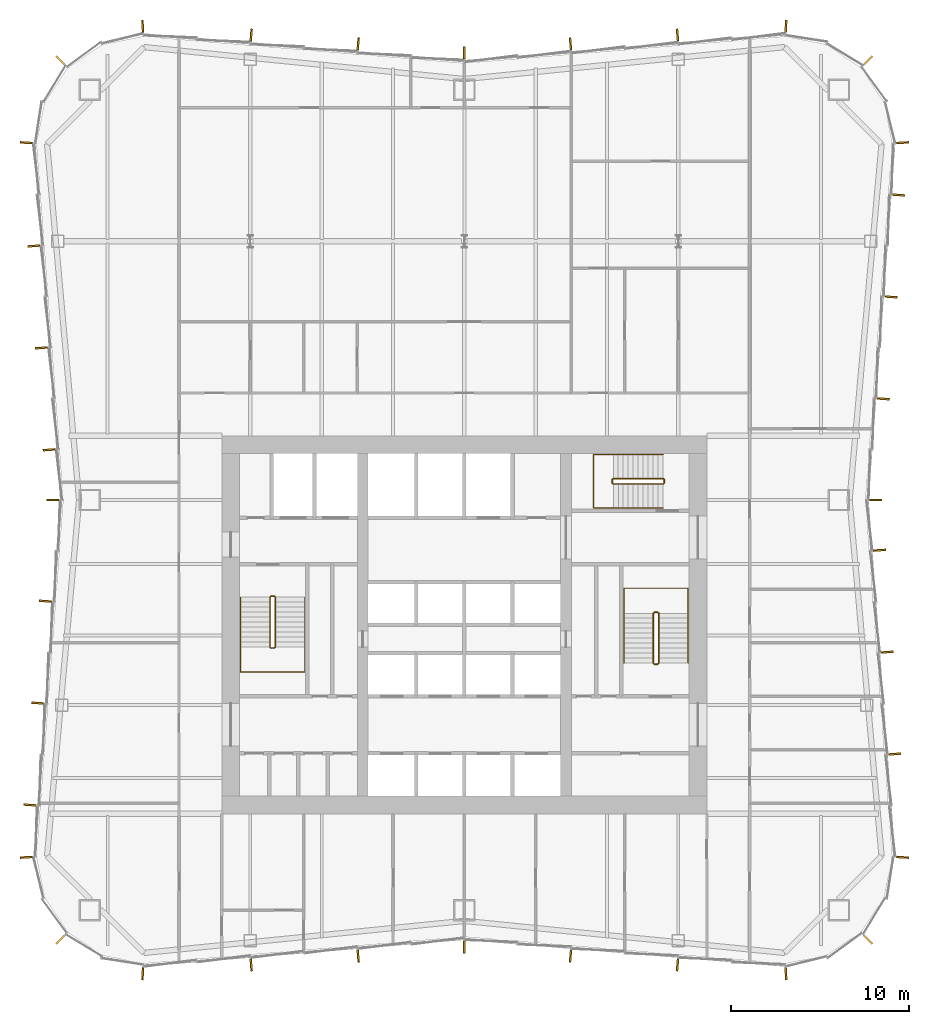
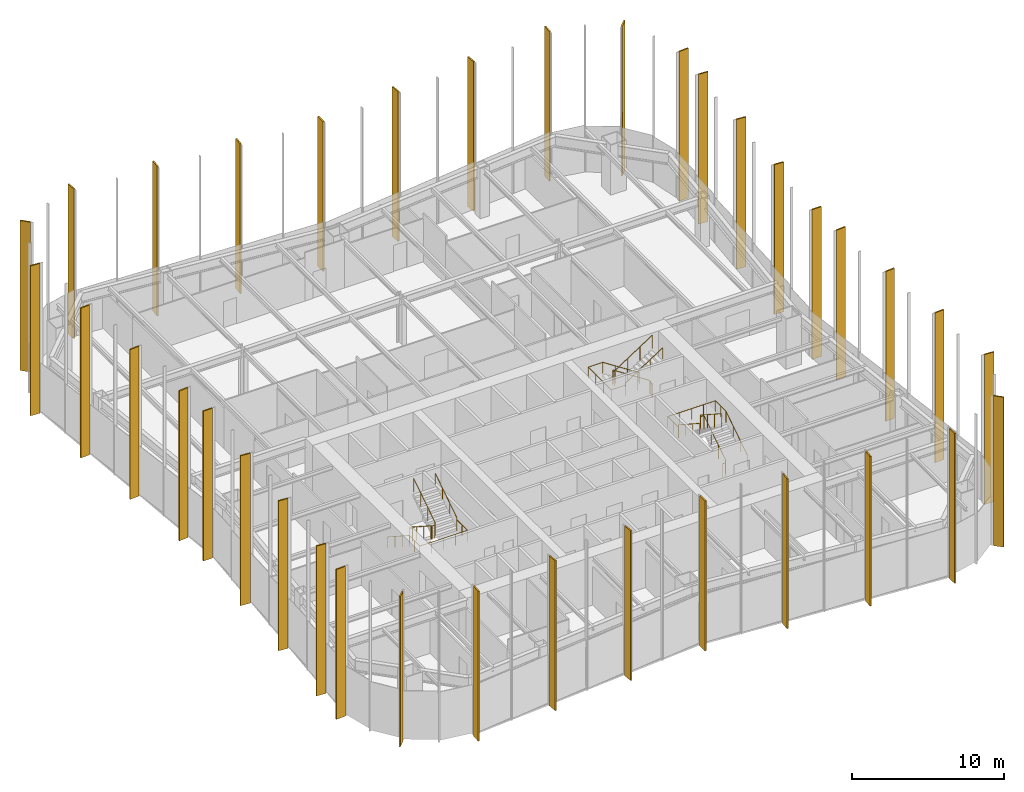
# One storey, part 14 of 14: 36 shading devices, 6 railings.
"""IFC4 building model written with IfcOpenShell, lengths in metres."""

from ifc_helpers import new_model, si_unit, direction, frame, origin, origin_2d, place, context, subcontext, project, spatial, rectangle, circle, extrude, material, layer, layer_set, type_object, element, save


model = new_model("IFC4")

# Units and contexts
model_context = context("Model", 3, precision=1e-05, world=origin(), true_north=direction((0.0, 1.0)))
body_context = subcontext(model_context, "Body", "Model", "MODEL_VIEW")
ifc_project = project(units=[si_unit("LENGTHUNIT", "METRE"), si_unit("AREAUNIT", "SQUARE_METRE"), si_unit("VOLUMEUNIT", "CUBIC_METRE"), si_unit("PLANEANGLEUNIT", "RADIAN"), si_unit("MASSUNIT", "GRAM", prefix="KILO")], contexts=[model_context])

# Site, building, storey
site_placement = place(None, origin())
site = spatial("IfcSite", under=ifc_project, at=site_placement, CompositionType="ELEMENT")
building_placement = place(site_placement, origin())
building = spatial("IfcBuilding", under=site, at=building_placement, Name="Verdant Reach Tower", CompositionType="ELEMENT")
storey_placement = place(building_placement, frame((0.0, 0.0, 150.0)))
storey = spatial("IfcBuildingStorey", under=building, at=storey_placement, Name="L34", CompositionType="ELEMENT", Elevation=150.0)

# Railings
ifc_material_1 = material(Name="Stainless steel", Category="steel")
railing_type_1 = type_object("IfcRailingType", Name="CO-GUARD", PredefinedType="GUARDRAIL", material=ifc_material_1)
railing_1_placement = place(storey_placement, frame((-10.64990234375, 29.60009765625, 0.0)))
element("IfcRailing", 1, at=railing_1_placement, inside=storey, type_object=railing_type_1, Name="L34 ST-1 stair guard 1", PredefinedType="GUARDRAIL", context=body_context, shape_type="SweptSolid", body=[
    extrude(circle(Radius=0.02392578125, at=origin_2d()), frame((0.0, 0.0, 1.076171875), z_axis=(-1.0, 0.0, 0.0), x_axis=(0.0, -1.0, 0.0)), (0.0, 0.0, 1.0), 0.2001953125),
    extrude(circle(Radius=0.02392578125, at=origin_2d()), frame((-0.2001953125, 0.0, 1.076171875), z_axis=(-0.25526617399, -0.256517478764, 0.932222056972), x_axis=(0.708833529934, -0.705375805398, 0.0)), (0.0, 0.0, 1.0), 0.195068359375),
    extrude(circle(Radius=0.02392578125, at=origin_2d()), frame((-0.25, -0.050048828125, 1.2578125), z_axis=(0.0, -0.838705829183, 0.544584733623), x_axis=(1.0, 0.0, 0.0)), (0.0, 0.0, 1.0), 3.338623046875),
    extrude(circle(Radius=0.02392578125, at=origin_2d()), frame((-0.25, -2.85009765625, 3.076171875), z_axis=(0.705375805398, -0.708833529934, 0.0), x_axis=(0.708833529934, 0.705375805398, 0.0)), (0.0, 0.0, 1.0), 0.070556640625),
    extrude(circle(Radius=0.02392578125, at=origin_2d()), frame((-0.2001953125, -2.900146484375, 3.076171875), z_axis=(1.0, 0.0, 0.0), x_axis=(0.0, 1.0, 0.0)), (0.0, 0.0, 1.0), 0.2001953125),
    extrude(circle(Radius=0.02392578125, at=origin_2d()), frame((0.0, -2.900146484375, 3.076171875), z_axis=(0.25526617399, 0.256517478764, 0.932222056972), x_axis=(-0.708833529934, 0.705375805398, 0.0)), (0.0, 0.0, 1.0), 0.195068359375),
    extrude(circle(Radius=0.02392578125, at=origin_2d()), frame((0.0498046875, -2.85009765625, 3.2578125), z_axis=(0.0, 0.838705829183, 0.544584733623), x_axis=(-1.0, 0.0, 0.0)), (0.0, 0.0, 1.0), 3.338623046875),
    extrude(circle(Radius=0.02099609375, at=origin_2d()), origin(), (0.0, 0.0, 1.0), 1.052001953125),
    extrude(circle(Radius=0.02099609375, at=origin_2d()), frame((-0.2001953125, 0.0, 0.0)), (0.0, 0.0, 1.0), 1.052001953125),
    extrude(circle(Radius=0.02099609375, at=origin_2d()), frame((-0.25, -0.050048828125, 0.181884765625)), (0.0, 0.0, 1.0), 1.052001953125),
    extrude(circle(Radius=0.02099609375, at=origin_2d()), frame((-0.25, -0.9833984375, 0.787841796875)), (0.0, 0.0, 1.0), 1.052001953125),
    extrude(circle(Radius=0.02099609375, at=origin_2d()), frame((-0.25, -1.916748046875, 1.39404296875)), (0.0, 0.0, 1.0), 1.052001953125),
    extrude(circle(Radius=0.02099609375, at=origin_2d()), frame((-0.25, -2.85009765625, 2.0)), (0.0, 0.0, 1.0), 1.052001953125),
    extrude(circle(Radius=0.02099609375, at=origin_2d()), frame((-0.2001953125, -2.900146484375, 2.0)), (0.0, 0.0, 1.0), 1.052001953125),
    extrude(circle(Radius=0.02099609375, at=origin_2d()), frame((0.0, -2.900146484375, 2.0)), (0.0, 0.0, 1.0), 1.052001953125),
    extrude(circle(Radius=0.02099609375, at=origin_2d()), frame((0.0498046875, -2.85009765625, 2.181884765625)), (0.0, 0.0, 1.0), 1.052001953125),
    extrude(circle(Radius=0.02099609375, at=origin_2d()), frame((0.0498046875, -1.916748046875, 2.787841796875)), (0.0, 0.0, 1.0), 1.052001953125),
    extrude(circle(Radius=0.02099609375, at=origin_2d()), frame((0.0498046875, -0.9833984375, 3.39404296875)), (0.0, 0.0, 1.0), 1.052001953125),
    extrude(circle(Radius=0.02099609375, at=origin_2d()), frame((0.0498046875, -0.050048828125, 4.0)), (0.0, 0.0, 1.0), 1.052001953125),
])
railing_2_placement = place(storey_placement, frame((10.64990234375, 25.800048828125, 0.0)))
element("IfcRailing", 2, at=railing_2_placement, inside=storey, type_object=railing_type_1, Name="L34 ST-2 stair guard 1", PredefinedType="GUARDRAIL", context=body_context, shape_type="SweptSolid", body=[
    extrude(circle(Radius=0.02392578125, at=origin_2d()), frame((0.0, 0.0, 1.076171875), z_axis=(1.0, 0.0, 0.0), x_axis=(0.0, 1.0, 0.0)), (0.0, 0.0, 1.0), 0.2001953125),
    extrude(circle(Radius=0.02392578125, at=origin_2d()), frame((0.2001953125, 0.0, 1.076171875), z_axis=(0.25526617399, 0.256517478764, 0.932222056972), x_axis=(-0.708833529934, 0.705375805398, 0.0)), (0.0, 0.0, 1.0), 0.195068359375),
    extrude(circle(Radius=0.02392578125, at=origin_2d()), frame((0.25, 0.050048828125, 1.2578125), z_axis=(0.0, 0.83868413941, 0.544618136222), x_axis=(-1.0, 0.0, 0.0)), (0.0, 0.0, 1.0), 3.33837890625),
    extrude(circle(Radius=0.02392578125, at=origin_2d()), frame((0.25, 2.849853515625, 3.076171875), z_axis=(-0.705375805398, 0.708833529934, 0.0), x_axis=(-0.708833529934, -0.705375805398, 0.0)), (0.0, 0.0, 1.0), 0.070556640625),
    extrude(circle(Radius=0.02392578125, at=origin_2d()), frame((0.2001953125, 2.89990234375, 3.076171875), z_axis=(-1.0, 0.0, 0.0), x_axis=(0.0, -1.0, 0.0)), (0.0, 0.0, 1.0), 0.2001953125),
    extrude(circle(Radius=0.02392578125, at=origin_2d()), frame((0.0, 2.89990234375, 3.076171875), z_axis=(-0.25526617399, -0.256517478764, 0.932222056972), x_axis=(0.708833529934, -0.705375805398, 0.0)), (0.0, 0.0, 1.0), 0.195068359375),
    extrude(circle(Radius=0.02392578125, at=origin_2d()), frame((-0.0498046875, 2.849853515625, 3.2578125), z_axis=(0.0, -0.83868413941, 0.544618136222), x_axis=(1.0, 0.0, 0.0)), (0.0, 0.0, 1.0), 3.33837890625),
    extrude(circle(Radius=0.02099609375, at=origin_2d()), origin(), (0.0, 0.0, 1.0), 1.052001953125),
    extrude(circle(Radius=0.02099609375, at=origin_2d()), frame((0.2001953125, 0.0, 0.0)), (0.0, 0.0, 1.0), 1.052001953125),
    extrude(circle(Radius=0.02099609375, at=origin_2d()), frame((0.25, 0.050048828125, 0.181884765625)), (0.0, 0.0, 1.0), 1.052001953125),
    extrude(circle(Radius=0.02099609375, at=origin_2d()), frame((0.25, 0.9833984375, 0.787841796875)), (0.0, 0.0, 1.0), 1.052001953125),
    extrude(circle(Radius=0.02099609375, at=origin_2d()), frame((0.25, 1.91650390625, 1.39404296875)), (0.0, 0.0, 1.0), 1.052001953125),
    extrude(circle(Radius=0.02099609375, at=origin_2d()), frame((0.25, 2.849853515625, 2.0)), (0.0, 0.0, 1.0), 1.052001953125),
    extrude(circle(Radius=0.02099609375, at=origin_2d()), frame((0.2001953125, 2.89990234375, 2.0)), (0.0, 0.0, 1.0), 1.052001953125),
    extrude(circle(Radius=0.02099609375, at=origin_2d()), frame((0.0, 2.89990234375, 2.0)), (0.0, 0.0, 1.0), 1.052001953125),
    extrude(circle(Radius=0.02099609375, at=origin_2d()), frame((-0.0498046875, 2.849853515625, 2.181884765625)), (0.0, 0.0, 1.0), 1.052001953125),
    extrude(circle(Radius=0.02099609375, at=origin_2d()), frame((-0.0498046875, 1.91650390625, 2.787841796875)), (0.0, 0.0, 1.0), 1.052001953125),
    extrude(circle(Radius=0.02099609375, at=origin_2d()), frame((-0.0498046875, 0.9833984375, 3.39404296875)), (0.0, 0.0, 1.0), 1.052001953125),
    extrude(circle(Radius=0.02099609375, at=origin_2d()), frame((-0.0498046875, 0.050048828125, 4.0)), (0.0, 0.0, 1.0), 1.052001953125),
])
railing_3_placement = place(storey_placement, frame((11.199951171875, 35.949951171875, 0.0)))
element("IfcRailing", 3, at=railing_3_placement, inside=storey, type_object=railing_type_1, Name="L34 ST-3 stair guard 1", PredefinedType="GUARDRAIL", context=body_context, shape_type="SweptSolid", body=[
    extrude(circle(Radius=0.02392578125, at=origin_2d()), frame((0.0, 0.0, 1.076171875), z_axis=(0.0, 1.0, 0.0), x_axis=(-1.0, 0.0, 0.0)), (0.0, 0.0, 1.0), 0.199951171875),
    extrude(circle(Radius=0.02392578125, at=origin_2d()), frame((0.0, 0.199951171875, 1.076171875), z_axis=(-0.256435381639, 0.256435381639, 0.931923704005), x_axis=(-0.707106781187, -0.707106781187, 0.0)), (0.0, 0.0, 1.0), 0.195068359375),
    extrude(circle(Radius=0.02392578125, at=origin_2d()), frame((-0.050048828125, 0.25, 1.2578125), z_axis=(-0.83868413941, 0.0, 0.544618136222), x_axis=(0.0, -1.0, 0.0)), (0.0, 0.0, 1.0), 3.33837890625),
    extrude(circle(Radius=0.02392578125, at=origin_2d()), frame((-2.849853515625, 0.25, 3.076171875), z_axis=(-0.707106781187, -0.707106781187, 0.0), x_axis=(0.707106781187, -0.707106781187, 0.0)), (0.0, 0.0, 1.0), 0.07080078125),
    extrude(circle(Radius=0.02392578125, at=origin_2d()), frame((-2.89990234375, 0.199951171875, 3.076171875), z_axis=(0.0, -1.0, 0.0), x_axis=(1.0, 0.0, 0.0)), (0.0, 0.0, 1.0), 0.199951171875),
    extrude(circle(Radius=0.02392578125, at=origin_2d()), frame((-2.89990234375, 0.0, 3.076171875), z_axis=(0.256435381639, -0.256435381639, 0.931923704005), x_axis=(0.707106781187, 0.707106781187, 0.0)), (0.0, 0.0, 1.0), 0.195068359375),
    extrude(circle(Radius=0.02392578125, at=origin_2d()), frame((-2.849853515625, -0.050048828125, 3.2578125), z_axis=(0.83868413941, 0.0, 0.544618136222), x_axis=(0.0, 1.0, 0.0)), (0.0, 0.0, 1.0), 3.33837890625),
    extrude(circle(Radius=0.02099609375, at=origin_2d()), origin(), (0.0, 0.0, 1.0), 1.052001953125),
    extrude(circle(Radius=0.02099609375, at=origin_2d()), frame((0.0, 0.199951171875, 0.0)), (0.0, 0.0, 1.0), 1.052001953125),
    extrude(circle(Radius=0.02099609375, at=origin_2d()), frame((-0.050048828125, 0.25, 0.181884765625)), (0.0, 0.0, 1.0), 1.052001953125),
    extrude(circle(Radius=0.02099609375, at=origin_2d()), frame((-0.9833984375, 0.25, 0.787841796875)), (0.0, 0.0, 1.0), 1.052001953125),
    extrude(circle(Radius=0.02099609375, at=origin_2d()), frame((-1.91650390625, 0.25, 1.39404296875)), (0.0, 0.0, 1.0), 1.052001953125),
    extrude(circle(Radius=0.02099609375, at=origin_2d()), frame((-2.849853515625, 0.25, 2.0)), (0.0, 0.0, 1.0), 1.052001953125),
    extrude(circle(Radius=0.02099609375, at=origin_2d()), frame((-2.89990234375, 0.199951171875, 2.0)), (0.0, 0.0, 1.0), 1.052001953125),
    extrude(circle(Radius=0.02099609375, at=origin_2d()), frame((-2.89990234375, 0.0, 2.0)), (0.0, 0.0, 1.0), 1.052001953125),
    extrude(circle(Radius=0.02099609375, at=origin_2d()), frame((-2.849853515625, -0.050048828125, 2.181884765625)), (0.0, 0.0, 1.0), 1.052001953125),
    extrude(circle(Radius=0.02099609375, at=origin_2d()), frame((-1.91650390625, -0.050048828125, 2.787841796875)), (0.0, 0.0, 1.0), 1.052001953125),
    extrude(circle(Radius=0.02099609375, at=origin_2d()), frame((-0.9833984375, -0.050048828125, 3.39404296875)), (0.0, 0.0, 1.0), 1.052001953125),
    extrude(circle(Radius=0.02099609375, at=origin_2d()), frame((-0.050048828125, -0.050048828125, 4.0)), (0.0, 0.0, 1.0), 1.052001953125),
])
railing_type_2 = type_object("IfcRailingType", Name="CO-HANDRAIL", PredefinedType="HANDRAIL", material=ifc_material_1)
railing_4_placement = place(storey_placement, frame((-12.550048828125, 29.550048828125, 0.181884765625)))
element("IfcRailing", 4, at=railing_4_placement, inside=storey, type_object=railing_type_2, Name="L34 ST-1 stair handrail 1", PredefinedType="HANDRAIL", context=body_context, shape_type="SweptSolid", body=[
    extrude(circle(Radius=0.02392578125, at=origin_2d()), frame((0.0, 0.0, 0.8759765625), z_axis=(0.0, -0.838705829183, 0.544584733623), x_axis=(1.0, 0.0, 0.0)), (0.0, 0.0, 1.0), 3.338623046875),
    extrude(circle(Radius=0.02392578125, at=origin_2d()), frame((0.0, -2.800048828125, 2.69384765625), z_axis=(0.0, -1.0, 0.0), x_axis=(1.0, 0.0, 0.0)), (0.0, 0.0, 1.0), 1.39990234375),
    extrude(circle(Radius=0.02392578125, at=origin_2d()), frame((0.0, -4.199951171875, 2.69384765625), z_axis=(1.0, 0.0, 0.0), x_axis=(0.0, 1.0, 0.0)), (0.0, 0.0, 1.0), 3.60009765625),
    extrude(circle(Radius=0.02392578125, at=origin_2d()), frame((3.60009765625, -4.199951171875, 2.69384765625), z_axis=(0.0, 1.0, 0.0), x_axis=(-1.0, 0.0, 0.0)), (0.0, 0.0, 1.0), 1.39990234375),
    extrude(circle(Radius=0.02392578125, at=origin_2d()), frame((3.60009765625, -2.800048828125, 2.69384765625), z_axis=(0.0, 0.0, 1.0), x_axis=(1.0, 0.0, 0.0)), (0.0, 0.0, 1.0), 0.181884765625),
    extrude(circle(Radius=0.02392578125, at=origin_2d()), frame((3.60009765625, -2.800048828125, 2.8759765625), z_axis=(0.0, 0.838705829183, 0.544584733623), x_axis=(-1.0, 0.0, 0.0)), (0.0, 0.0, 1.0), 3.338623046875),
    extrude(circle(Radius=0.02099609375, at=origin_2d()), origin(), (0.0, 0.0, 1.0), 0.851806640625),
    extrude(circle(Radius=0.02099609375, at=origin_2d()), frame((0.0, -0.933349609375, 0.60595703125)), (0.0, 0.0, 1.0), 0.851806640625),
    extrude(circle(Radius=0.02099609375, at=origin_2d()), frame((0.0, -1.86669921875, 1.212158203125)), (0.0, 0.0, 1.0), 0.851806640625),
    extrude(circle(Radius=0.02099609375, at=origin_2d()), frame((0.0, -2.800048828125, 1.818115234375)), (0.0, 0.0, 1.0), 0.851806640625),
    extrude(circle(Radius=0.02099609375, at=origin_2d()), frame((0.0, -3.5, 1.818115234375)), (0.0, 0.0, 1.0), 0.851806640625),
    extrude(circle(Radius=0.02099609375, at=origin_2d()), frame((0.0, -4.199951171875, 1.818115234375)), (0.0, 0.0, 1.0), 0.851806640625),
    extrude(circle(Radius=0.02099609375, at=origin_2d()), frame((0.89990234375, -4.199951171875, 1.818115234375)), (0.0, 0.0, 1.0), 0.851806640625),
    extrude(circle(Radius=0.02099609375, at=origin_2d()), frame((1.800048828125, -4.199951171875, 1.818115234375)), (0.0, 0.0, 1.0), 0.851806640625),
    extrude(circle(Radius=0.02099609375, at=origin_2d()), frame((2.7001953125, -4.199951171875, 1.818115234375)), (0.0, 0.0, 1.0), 0.851806640625),
    extrude(circle(Radius=0.02099609375, at=origin_2d()), frame((3.60009765625, -4.199951171875, 1.818115234375)), (0.0, 0.0, 1.0), 0.851806640625),
    extrude(circle(Radius=0.02099609375, at=origin_2d()), frame((3.60009765625, -3.5, 1.818115234375)), (0.0, 0.0, 1.0), 0.851806640625),
    extrude(circle(Radius=0.02099609375, at=origin_2d()), frame((3.60009765625, -2.800048828125, 1.818115234375)), (0.0, 0.0, 1.0), 0.851806640625),
    extrude(circle(Radius=0.02099609375, at=origin_2d()), frame((3.60009765625, -2.800048828125, 2.0)), (0.0, 0.0, 1.0), 0.851806640625),
    extrude(circle(Radius=0.02099609375, at=origin_2d()), frame((3.60009765625, -1.86669921875, 2.60595703125)), (0.0, 0.0, 1.0), 0.851806640625),
    extrude(circle(Radius=0.02099609375, at=origin_2d()), frame((3.60009765625, -0.933349609375, 3.212158203125)), (0.0, 0.0, 1.0), 0.851806640625),
    extrude(circle(Radius=0.02099609375, at=origin_2d()), frame((3.60009765625, 0.0, 3.818115234375)), (0.0, 0.0, 1.0), 0.851806640625),
])
railing_5_placement = place(storey_placement, frame((12.550048828125, 25.85009765625, 0.181884765625)))
element("IfcRailing", 5, at=railing_5_placement, inside=storey, type_object=railing_type_2, Name="L34 ST-2 stair handrail 1", PredefinedType="HANDRAIL", context=body_context, shape_type="SweptSolid", body=[
    extrude(circle(Radius=0.02392578125, at=origin_2d()), frame((0.0, 0.0, 0.8759765625), z_axis=(0.0, 0.83868413941, 0.544618136222), x_axis=(-1.0, 0.0, 0.0)), (0.0, 0.0, 1.0), 3.33837890625),
    extrude(circle(Radius=0.02392578125, at=origin_2d()), frame((0.0, 2.7998046875, 2.69384765625), z_axis=(0.0, 1.0, 0.0), x_axis=(-1.0, 0.0, 0.0)), (0.0, 0.0, 1.0), 1.400146484375),
    extrude(circle(Radius=0.02392578125, at=origin_2d()), frame((0.0, 4.199951171875, 2.69384765625), z_axis=(-1.0, 0.0, 0.0), x_axis=(0.0, -1.0, 0.0)), (0.0, 0.0, 1.0), 3.60009765625),
    extrude(circle(Radius=0.02392578125, at=origin_2d()), frame((-3.60009765625, 4.199951171875, 2.69384765625), z_axis=(0.0, -1.0, 0.0), x_axis=(1.0, 0.0, 0.0)), (0.0, 0.0, 1.0), 1.400146484375),
    extrude(circle(Radius=0.02392578125, at=origin_2d()), frame((-3.60009765625, 2.7998046875, 2.69384765625), z_axis=(0.0, 0.0, 1.0), x_axis=(1.0, 0.0, 0.0)), (0.0, 0.0, 1.0), 0.181884765625),
    extrude(circle(Radius=0.02392578125, at=origin_2d()), frame((-3.60009765625, 2.7998046875, 2.8759765625), z_axis=(0.0, -0.83868413941, 0.544618136222), x_axis=(1.0, 0.0, 0.0)), (0.0, 0.0, 1.0), 3.33837890625),
    extrude(circle(Radius=0.02099609375, at=origin_2d()), origin(), (0.0, 0.0, 1.0), 0.851806640625),
    extrude(circle(Radius=0.02099609375, at=origin_2d()), frame((0.0, 0.933349609375, 0.60595703125)), (0.0, 0.0, 1.0), 0.851806640625),
    extrude(circle(Radius=0.02099609375, at=origin_2d()), frame((0.0, 1.866455078125, 1.212158203125)), (0.0, 0.0, 1.0), 0.851806640625),
    extrude(circle(Radius=0.02099609375, at=origin_2d()), frame((0.0, 2.7998046875, 1.818115234375)), (0.0, 0.0, 1.0), 0.851806640625),
    extrude(circle(Radius=0.02099609375, at=origin_2d()), frame((0.0, 3.5, 1.818115234375)), (0.0, 0.0, 1.0), 0.851806640625),
    extrude(circle(Radius=0.02099609375, at=origin_2d()), frame((0.0, 4.199951171875, 1.818115234375)), (0.0, 0.0, 1.0), 0.851806640625),
    extrude(circle(Radius=0.02099609375, at=origin_2d()), frame((-0.89990234375, 4.199951171875, 1.818115234375)), (0.0, 0.0, 1.0), 0.851806640625),
    extrude(circle(Radius=0.02099609375, at=origin_2d()), frame((-1.800048828125, 4.199951171875, 1.818115234375)), (0.0, 0.0, 1.0), 0.851806640625),
    extrude(circle(Radius=0.02099609375, at=origin_2d()), frame((-2.7001953125, 4.199951171875, 1.818115234375)), (0.0, 0.0, 1.0), 0.851806640625),
    extrude(circle(Radius=0.02099609375, at=origin_2d()), frame((-3.60009765625, 4.199951171875, 1.818115234375)), (0.0, 0.0, 1.0), 0.851806640625),
    extrude(circle(Radius=0.02099609375, at=origin_2d()), frame((-3.60009765625, 3.5, 1.818115234375)), (0.0, 0.0, 1.0), 0.851806640625),
    extrude(circle(Radius=0.02099609375, at=origin_2d()), frame((-3.60009765625, 2.7998046875, 1.818115234375)), (0.0, 0.0, 1.0), 0.851806640625),
    extrude(circle(Radius=0.02099609375, at=origin_2d()), frame((-3.60009765625, 2.7998046875, 2.0)), (0.0, 0.0, 1.0), 0.851806640625),
    extrude(circle(Radius=0.02099609375, at=origin_2d()), frame((-3.60009765625, 1.866455078125, 2.60595703125)), (0.0, 0.0, 1.0), 0.851806640625),
    extrude(circle(Radius=0.02099609375, at=origin_2d()), frame((-3.60009765625, 0.933349609375, 3.212158203125)), (0.0, 0.0, 1.0), 0.851806640625),
    extrude(circle(Radius=0.02099609375, at=origin_2d()), frame((-3.60009765625, 0.0, 3.818115234375)), (0.0, 0.0, 1.0), 0.851806640625),
])
railing_6_placement = place(storey_placement, frame((11.14990234375, 37.550048828125, 0.181884765625)))
element("IfcRailing", 6, at=railing_6_placement, inside=storey, type_object=railing_type_2, Name="L34 ST-3 stair handrail 1", PredefinedType="HANDRAIL", context=body_context, shape_type="SweptSolid", body=[
    extrude(circle(Radius=0.02392578125, at=origin_2d()), frame((0.0, 0.0, 0.8759765625), z_axis=(-0.83868413941, 0.0, 0.544618136222), x_axis=(0.0, -1.0, 0.0)), (0.0, 0.0, 1.0), 3.33837890625),
    extrude(circle(Radius=0.02392578125, at=origin_2d()), frame((-2.7998046875, 0.0, 2.69384765625), z_axis=(-1.0, 0.0, 0.0), x_axis=(0.0, -1.0, 0.0)), (0.0, 0.0, 1.0), 1.10009765625),
    extrude(circle(Radius=0.02392578125, at=origin_2d()), frame((-3.89990234375, 0.0, 2.69384765625), z_axis=(0.0, -1.0, 0.0), x_axis=(1.0, 0.0, 0.0)), (0.0, 0.0, 1.0), 3.0),
    extrude(circle(Radius=0.02392578125, at=origin_2d()), frame((-3.89990234375, -3.0, 2.69384765625), z_axis=(1.0, 0.0, 0.0), x_axis=(0.0, 1.0, 0.0)), (0.0, 0.0, 1.0), 1.10009765625),
    extrude(circle(Radius=0.02392578125, at=origin_2d()), frame((-2.7998046875, -3.0, 2.69384765625), z_axis=(0.0, 0.0, 1.0), x_axis=(1.0, 0.0, 0.0)), (0.0, 0.0, 1.0), 0.181884765625),
    extrude(circle(Radius=0.02392578125, at=origin_2d()), frame((-2.7998046875, -3.0, 2.8759765625), z_axis=(0.83868413941, 0.0, 0.544618136222), x_axis=(0.0, 1.0, 0.0)), (0.0, 0.0, 1.0), 3.33837890625),
    extrude(circle(Radius=0.02099609375, at=origin_2d()), origin(), (0.0, 0.0, 1.0), 0.851806640625),
    extrude(circle(Radius=0.02099609375, at=origin_2d()), frame((-0.933349609375, 0.0, 0.60595703125)), (0.0, 0.0, 1.0), 0.851806640625),
    extrude(circle(Radius=0.02099609375, at=origin_2d()), frame((-1.866455078125, 0.0, 1.212158203125)), (0.0, 0.0, 1.0), 0.851806640625),
    extrude(circle(Radius=0.02099609375, at=origin_2d()), frame((-2.7998046875, 0.0, 1.818115234375)), (0.0, 0.0, 1.0), 0.851806640625),
    extrude(circle(Radius=0.02099609375, at=origin_2d()), frame((-3.89990234375, 0.0, 1.818115234375)), (0.0, 0.0, 1.0), 0.851806640625),
    extrude(circle(Radius=0.02099609375, at=origin_2d()), frame((-3.89990234375, -1.0, 1.818115234375)), (0.0, 0.0, 1.0), 0.851806640625),
    extrude(circle(Radius=0.02099609375, at=origin_2d()), frame((-3.89990234375, -2.0, 1.818115234375)), (0.0, 0.0, 1.0), 0.851806640625),
    extrude(circle(Radius=0.02099609375, at=origin_2d()), frame((-3.89990234375, -3.0, 1.818115234375)), (0.0, 0.0, 1.0), 0.851806640625),
    extrude(circle(Radius=0.02099609375, at=origin_2d()), frame((-2.7998046875, -3.0, 1.818115234375)), (0.0, 0.0, 1.0), 0.851806640625),
    extrude(circle(Radius=0.02099609375, at=origin_2d()), frame((-2.7998046875, -3.0, 2.0)), (0.0, 0.0, 1.0), 0.851806640625),
    extrude(circle(Radius=0.02099609375, at=origin_2d()), frame((-1.866455078125, -3.0, 2.60595703125)), (0.0, 0.0, 1.0), 0.851806640625),
    extrude(circle(Radius=0.02099609375, at=origin_2d()), frame((-0.933349609375, -3.0, 3.212158203125)), (0.0, 0.0, 1.0), 0.851806640625),
    extrude(circle(Radius=0.02099609375, at=origin_2d()), frame((0.0, -3.0, 3.818115234375)), (0.0, 0.0, 1.0), 0.851806640625),
])

# Shading devices
ifc_material_2 = material(Name="Bronze fin, champagne", Category="aluminium")
ifc_layer_1 = layer(ifc_material_2, 0.10009765625)
ifc_layer_set_1 = layer_set([ifc_layer_1], Name="EN-FIN CHAMPAGNE")
shading_device_type_1 = type_object("IfcShadingDeviceType", Name="EN-FIN CHAMPAGNE", PredefinedType="USERDEFINED", material=ifc_layer_set_1)
for number, where, z_axis, x_axis, name in (
    (7, (22.639892578125, 10.360107421875, -0.35009765625), (0.0, 0.0, 1.0), (0.707106781187, 0.707106781187, 0.0), "Fin south-east corner 3, L34"),
    (8, (24.56103515625, 14.9658203125, -0.35009765625), (0.0, 0.0, 1.0), (0.060702752526, 0.998155887542, 0.0), "Fin east face part 1 1, L34"),
    (9, (24.1318359375, 20.75634765625, -0.35009765625), (0.0, 0.0, 1.0), (-0.074789948245, 0.997199309888, 0.0), "Fin east face part 1 3, L34"),
    (10, (23.489013671875, 40.67236328125, -0.35009765625), (0.0, 0.0, 1.0), (0.074789948245, 0.997199309888, 0.0), "Fin east face part 2 3, L34"),
    (11, (24.56103515625, 55.0341796875, -0.35009765625), (0.0, 0.0, 1.0), (-0.060702752526, 0.998155887542, 0.0), "Fin north-east corner 1, L34"),
    (12, (22.639892578125, 59.639892578125, -0.35009765625), (0.0, 0.0, 1.0), (-0.707106781187, 0.707106781187, 0.0), "Fin north-east corner 3, L34"),
    (13, (18.03173828125, 61.56103515625, -0.35009765625), (0.0, 0.0, 1.0), (-0.998398681387, 0.056569187765, 0.0), "Fin north face part 1 1, L34"),
    (14, (0.0, 60.06201171875, -0.35009765625), (0.0, 0.0, 1.0), (-1.0, 0.0, 0.0), "Fin north face part 2 1, L34"),
    (15, (-18.03173828125, 61.56103515625, -0.35009765625), (0.0, 0.0, 1.0), (-0.998398681387, -0.056569187765, 0.0), "Fin north-west corner 1, L34"),
    (16, (-23.703369140625, 43.529296875, -0.35009765625), (0.0, 0.0, 1.0), (0.074789948245, -0.997199309888, 0.0), "Fin west face part 1 5, L34"),
    (17, (-23.274658203125, 37.815185546875, -0.35009765625), (0.0, 0.0, 1.0), (0.074789948245, -0.997199309888, 0.0), "Fin west face part 1 7, L34"),
    (18, (-23.06201171875, 35.0, -0.35009765625), (0.0, 0.0, 1.0), (0.0, -1.0, 0.0), "Fin west face part 2 1, L34"),
    (19, (-24.34619140625, 17.899169921875, -0.35009765625), (0.0, 0.0, 1.0), (-0.074789948245, -0.997199309888, 0.0), "Fin west face part 2 7, L34"),
    (20, (-11.953369140625, 8.93994140625, -0.35009765625), (0.0, 0.0, 1.0), (0.996545758244, 0.083045479859, 0.0), "Fin south face part 1 3, L34"),
    (21, (11.953369140625, 8.93994140625, -0.35009765625), (0.0, 0.0, 1.0), (0.996545758244, -0.083045479859, 0.0), "Fin south face part 2 5, L34"),
):
    element("IfcShadingDevice", number, at=place(storey_placement, frame(where, z_axis=z_axis, x_axis=x_axis)), inside=storey, type_object=shading_device_type_1, Name=name, ObjectType="FIN", PredefinedType="USERDEFINED", context=body_context, shape_type="SweptSolid", body=[
        extrude(rectangle(XDim=0.10009765625, YDim=0.699951171875, at=origin_2d()), origin(), (0.0, 0.0, 1.0), 12.0),
    ])
ifc_material_3 = material(Name="Bronze fin, copper", Category="aluminium")
ifc_layer_2 = layer(ifc_material_3, 0.10009765625)
ifc_layer_set_2 = layer_set([ifc_layer_2], Name="EN-FIN COPPER")
shading_device_type_2 = type_object("IfcShadingDeviceType", Name="EN-FIN COPPER", PredefinedType="USERDEFINED", material=ifc_layer_set_2)
for number, where, z_axis, x_axis, name in (
    (22, (23.703369140625, 26.470703125, -0.35009765625), (0.0, 0.0, 1.0), (-0.074789948245, 0.997199309888, 0.0), "Fin east face part 1 5, L34"),
    (23, (23.91748046875, 46.386474609375, -0.35009765625), (0.0, 0.0, 1.0), (0.074789948245, 0.997199309888, 0.0), "Fin east face part 2 5, L34"),
    (24, (24.34619140625, 52.100830078125, -0.35009765625), (0.0, 0.0, 1.0), (0.074789948245, 0.997199309888, 0.0), "Fin east face part 2 7, L34"),
    (25, (11.953369140625, 61.06005859375, -0.35009765625), (0.0, 0.0, 1.0), (-0.996545758244, -0.083045479859, 0.0), "Fin north face part 1 3, L34"),
    (26, (-5.953369140625, 60.56005859375, -0.35009765625), (0.0, 0.0, 1.0), (-0.996545758244, 0.083045479859, 0.0), "Fin north face part 2 3, L34"),
    (27, (-11.953369140625, 61.06005859375, -0.35009765625), (0.0, 0.0, 1.0), (-0.996545758244, 0.083045479859, 0.0), "Fin north face part 2 5, L34"),
    (28, (-22.639892578125, 59.639892578125, -0.35009765625), (0.0, 0.0, 1.0), (-0.707106781187, -0.707106781187, 0.0), "Fin north-west corner 3, L34"),
    (29, (-24.56103515625, 55.0341796875, -0.35009765625), (0.0, 0.0, 1.0), (-0.060702752526, -0.998155887542, 0.0), "Fin west face part 1 1, L34"),
    (30, (-23.489013671875, 29.32763671875, -0.35009765625), (0.0, 0.0, 1.0), (-0.074789948245, -0.997199309888, 0.0), "Fin west face part 2 3, L34"),
    (31, (-24.56103515625, 14.9658203125, -0.35009765625), (0.0, 0.0, 1.0), (0.060702752526, -0.998155887542, 0.0), "Fin south-west corner 1, L34"),
    (32, (-5.953369140625, 9.43994140625, -0.35009765625), (0.0, 0.0, 1.0), (0.996545758244, 0.083045479859, 0.0), "Fin south face part 1 5, L34"),
    (33, (0.0, 9.93798828125, -0.35009765625), (0.0, 0.0, 1.0), (1.0, 0.0, 0.0), "Fin south face part 2 1, L34"),
):
    element("IfcShadingDevice", number, at=place(storey_placement, frame(where, z_axis=z_axis, x_axis=x_axis)), inside=storey, type_object=shading_device_type_2, Name=name, ObjectType="FIN", PredefinedType="USERDEFINED", context=body_context, shape_type="SweptSolid", body=[
        extrude(rectangle(XDim=0.10009765625, YDim=0.699951171875, at=origin_2d()), origin(), (0.0, 0.0, 1.0), 12.0),
    ])
ifc_material_4 = material(Name="Bronze fin, dark bronze", Category="aluminium")
ifc_layer_3 = layer(ifc_material_4, 0.10009765625)
ifc_layer_set_3 = layer_set([ifc_layer_3], Name="EN-FIN DARK")
shading_device_type_3 = type_object("IfcShadingDeviceType", Name="EN-FIN DARK", PredefinedType="USERDEFINED", material=ifc_layer_set_3)
for number, where, z_axis, x_axis, name in (
    (34, (18.03173828125, 8.43896484375, -0.35009765625), (0.0, 0.0, 1.0), (0.998398681387, 0.056569187765, 0.0), "Fin south-east corner 1, L34"),
    (35, (23.274658203125, 32.184814453125, -0.35009765625), (0.0, 0.0, 1.0), (-0.074789948245, 0.997199309888, 0.0), "Fin east face part 1 7, L34"),
    (36, (23.06201171875, 35.0, -0.35009765625), (0.0, 0.0, 1.0), (0.0, 1.0, 0.0), "Fin east face part 2 1, L34"),
    (37, (5.953369140625, 60.56005859375, -0.35009765625), (0.0, 0.0, 1.0), (-0.996545758244, -0.083045479859, 0.0), "Fin north face part 1 5, L34"),
    (38, (-24.1318359375, 49.24365234375, -0.35009765625), (0.0, 0.0, 1.0), (0.074789948245, -0.997199309888, 0.0), "Fin west face part 1 3, L34"),
    (39, (-23.91748046875, 23.613525390625, -0.35009765625), (0.0, 0.0, 1.0), (-0.074789948245, -0.997199309888, 0.0), "Fin west face part 2 5, L34"),
    (40, (-22.639892578125, 10.360107421875, -0.35009765625), (0.0, 0.0, 1.0), (0.707106781187, -0.707106781187, 0.0), "Fin south-west corner 3, L34"),
    (41, (-18.03173828125, 8.43896484375, -0.35009765625), (0.0, 0.0, 1.0), (0.998398681387, -0.056569187765, 0.0), "Fin south face part 1 1, L34"),
    (42, (5.953369140625, 9.43994140625, -0.35009765625), (0.0, 0.0, 1.0), (0.996545758244, -0.083045479859, 0.0), "Fin south face part 2 3, L34"),
):
    element("IfcShadingDevice", number, at=place(storey_placement, frame(where, z_axis=z_axis, x_axis=x_axis)), inside=storey, type_object=shading_device_type_3, Name=name, ObjectType="FIN", PredefinedType="USERDEFINED", context=body_context, shape_type="SweptSolid", body=[
        extrude(rectangle(XDim=0.10009765625, YDim=0.699951171875, at=origin_2d()), origin(), (0.0, 0.0, 1.0), 12.0),
    ])

save(model, "model.ifc")
